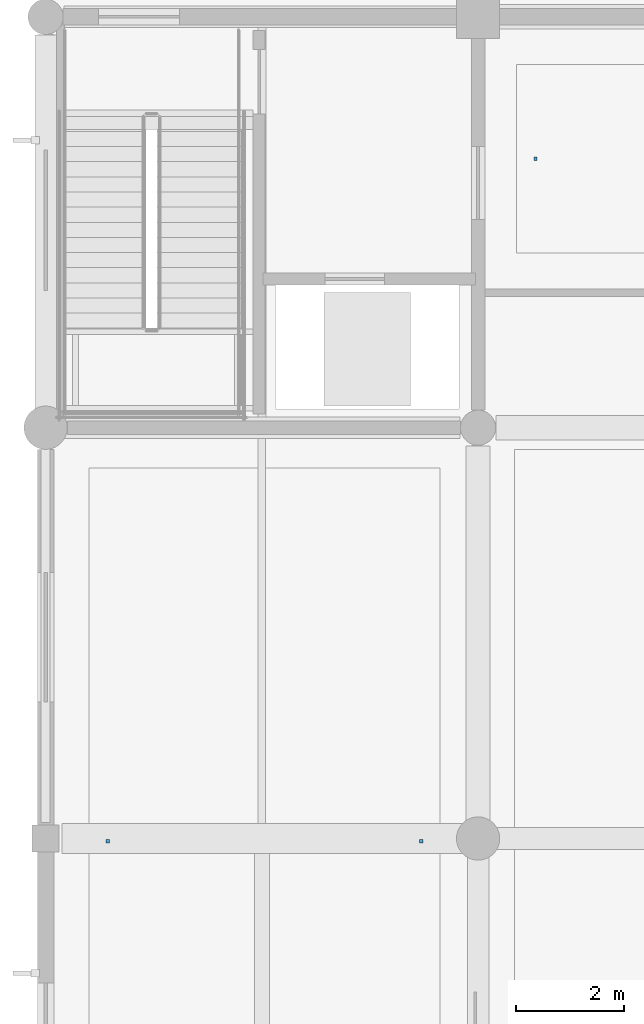
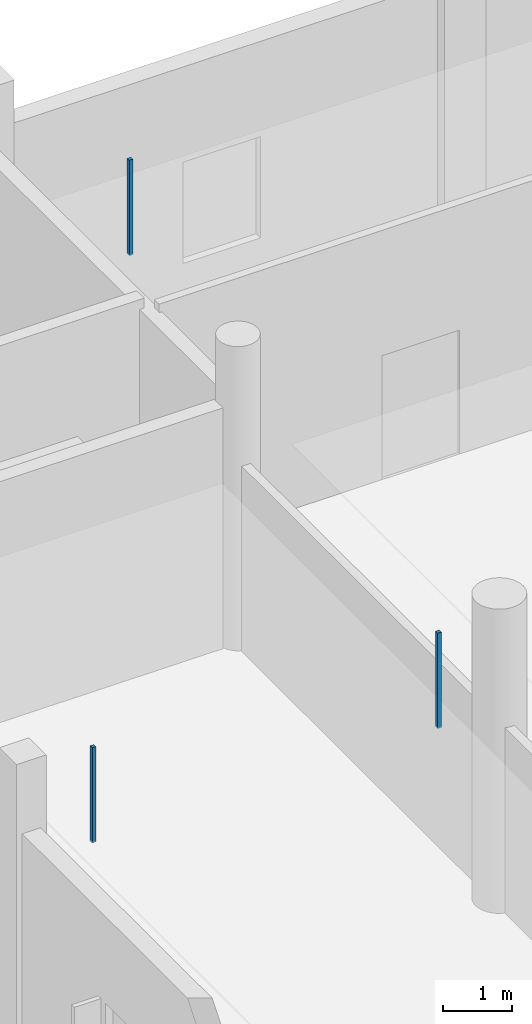
# One storey, part 88 of 126: 3 discrete accessories.
"""IFC4 building model written with IfcOpenShell, lengths in metres."""

from ifc_helpers import new_model, si_unit, direction, frame, origin, origin_2d, place, context, subcontext, project, spatial, rectangle, extrude, material, type_object, element, save


model = new_model("IFC4")

# Units and contexts
model_context = context("Model", 3, precision=1e-05, world=origin(), true_north=direction((0.0, 1.0)))
body_context = subcontext(model_context, "Body", "Model", "MODEL_VIEW")
ifc_project = project(units=[si_unit("LENGTHUNIT", "METRE"), si_unit("AREAUNIT", "SQUARE_METRE"), si_unit("VOLUMEUNIT", "CUBIC_METRE"), si_unit("PLANEANGLEUNIT", "RADIAN"), si_unit("MASSUNIT", "GRAM", prefix="KILO")], contexts=[model_context])

# Site, building, storey
site_placement = place(None, origin())
site = spatial("IfcSite", under=ifc_project, at=site_placement, CompositionType="ELEMENT")
building_placement = place(site_placement, origin())
building = spatial("IfcBuilding", under=site, at=building_placement, Name="Khelvaren Railside Concert Hall", CompositionType="ELEMENT")
storey_placement = place(building_placement, origin())
storey = spatial("IfcBuildingStorey", under=building, at=storey_placement, Name="L00", CompositionType="ELEMENT", Elevation=0.0)

# Discrete accessories
ifc_material = material(Name="Galvanised steel acoustic ceiling hanger rod", Category="steel")
discrete_accessory_type = type_object("IfcDiscreteAccessoryType", Name="BRK62", PredefinedType="BRACKET", material=ifc_material)
for number, where, z_axis, x_axis, name in (
    (1, (9.06005859375, 111.375, 3.429931640625), (0.0, 0.0, 1.0), (1.0, 0.0, 0.0), "Acoustic Ceiling Suspension Bracket 96-1"),
    (2, (1.14990234375, 98.75, 3.429931640625), (0.0, 0.0, 1.0), (1.0, 0.0, 0.0), "Acoustic Ceiling Suspension Bracket 100-1"),
    (3, (6.949951171875, 98.75, 3.429931640625), (0.0, 0.0, 1.0), (1.0, 0.0, 0.0), "Acoustic Ceiling Suspension Bracket 100-2"),
):
    element("IfcDiscreteAccessory", number, at=place(storey_placement, frame(where, z_axis=z_axis, x_axis=x_axis)), inside=storey, type_object=discrete_accessory_type, Name=name, PredefinedType="BRACKET", context=body_context, shape_type="SweptSolid", body=[
        extrude(rectangle(XDim=0.06005859375, YDim=0.06005859375, at=origin_2d()), origin(), (0.0, 0.0, 1.0), 1.68994140625),
    ])

save(model, "model.ifc")
